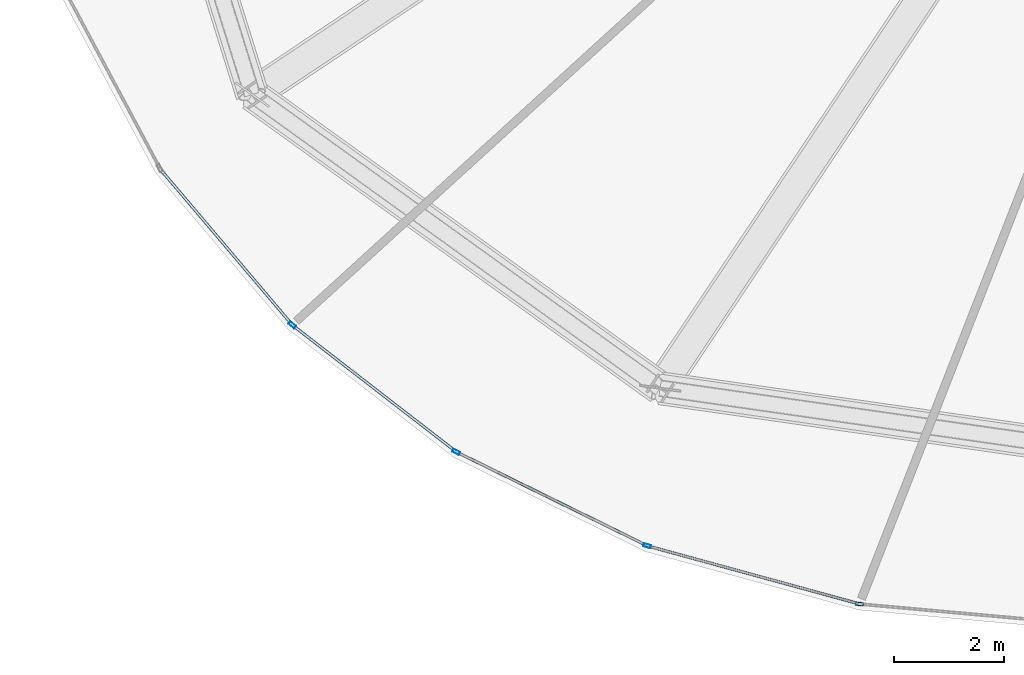
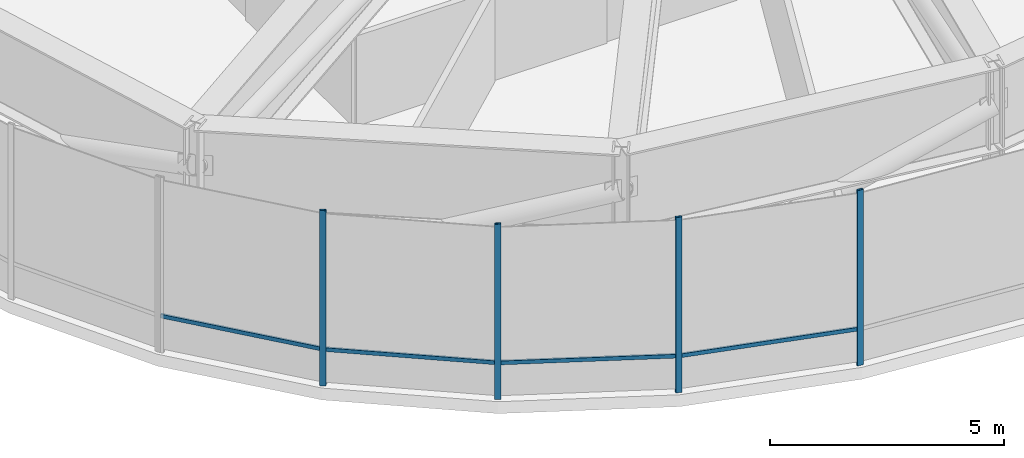
# One storey, part 2 of 30: 8 members, 1 element without a shape of its own.
"""IFC4 building model written with IfcOpenShell, lengths in metres."""

from ifc_helpers import new_model, si_unit, direction, frame, origin, origin_2d, place, context, subcontext, project, spatial, hollow_rectangle, extrude, source, transform, mapped, material, layer, layer_set, material_profile, profile_set, type_object, element, aggregate, save


model = new_model("IFC4")

# Units and contexts
model_context = context("Model", 3, precision=1e-05, world=origin(), true_north=direction((0.0, 1.0)))
body_context = subcontext(model_context, "Body", "Model", "MODEL_VIEW")
ifc_project = project(units=[si_unit("LENGTHUNIT", "METRE"), si_unit("AREAUNIT", "SQUARE_METRE"), si_unit("VOLUMEUNIT", "CUBIC_METRE"), si_unit("PLANEANGLEUNIT", "RADIAN"), si_unit("MASSUNIT", "GRAM", prefix="KILO"), si_unit("THERMODYNAMICTEMPERATUREUNIT", "KELVIN")], contexts=[model_context])

# Site, building, storey
site_placement = place(None, origin())
site = spatial("IfcSite", under=ifc_project, at=site_placement, CompositionType="ELEMENT")
building_placement = place(site_placement, origin())
building = spatial("IfcBuilding", under=site, at=building_placement, Name="Kethvar Cultural Tower", CompositionType="ELEMENT")
storey_placement = place(building_placement, frame((0.0, 0.0, 171.39990234375)))
storey = spatial("IfcBuildingStorey", under=building, at=storey_placement, Name="L44", CompositionType="ELEMENT", Elevation=171.39990234375)

# Curtain wall, members
ifc_material = material(Name="Aluminium 6063-T6", Category="aluminium")
ifc_layer = layer(ifc_material, 0.179931640625, Name="Aluminium 6063-T6", Category="aluminium")
ifc_layer_set = layer_set([ifc_layer], Name="Aluminium 6063-T6 (180 mm)")
curtain_wall_type = type_object("IfcCurtainWallType", Name="CW-SYS-04-Z34", PredefinedType="NOTDEFINED", material=ifc_layer_set)
curtain_wall_placement = place(storey_placement, origin())
curtain_wall = element("IfcCurtainWall", 1, at=curtain_wall_placement, inside=storey, type_object=curtain_wall_type, Name="L44 Curtain Wall Run 04", PredefinedType="NOTDEFINED")
ifc_material_profile_1 = material_profile(ifc_material, hollow_rectangle(XDim=0.06005859375, YDim=0.139892578125, WallThickness=0.0048828125, at=origin_2d()), Name="Aluminium 6063-T6 — RHS140x60x5")
ifc_profile_set_1 = profile_set([ifc_material_profile_1], Name="Aluminium 6063-T6 — RHS140x60x5")
member_type_1 = type_object("IfcMemberType", Name="CW-SYS-04-Z34-MUL", PredefinedType="MULLION", material=ifc_profile_set_1)
shared_shape_1 = source(origin(), body_context, "Body", "SweptSolid", [
    extrude(hollow_rectangle(XDim=0.06005859375, YDim=0.139892578125, WallThickness=0.0048828125, at=origin_2d()), origin(), (0.0, 0.0, 1.0), 4.580078125),
])
member_1_placement = place(storey_placement, frame((27.647216796875, 10.3212890625, 0.0), z_axis=(0.0, 0.0, 1.0), x_axis=(0.611527040186, 0.791223532967, 0.0)))
member_1 = element("IfcMember", 2, at=member_1_placement, type_object=member_type_1, Name="CW-L44-R04 Mullion 2", PredefinedType="MULLION", context=body_context, shape_type="MappedRepresentation", body=[
    mapped(shared_shape_1, transform((0.0, 0.0, 0.0), scale=1.0)),
])
member_2_placement = place(storey_placement, frame((30.635009765625, 8.00927734375, 0.0), z_axis=(0.0, 0.0, 1.0), x_axis=(0.441004660349, 0.897504813107, 0.0)))
member_2 = element("IfcMember", 3, at=member_2_placement, type_object=member_type_1, Name="CW-L44-R04 Mullion 3", PredefinedType="MULLION", context=body_context, shape_type="MappedRepresentation", body=[
    mapped(shared_shape_1, transform((0.0, 0.0, 0.0), scale=1.0)),
])
member_3_placement = place(storey_placement, frame((34.11474609375, 6.29736328125, 0.0), z_axis=(0.0, 0.0, 1.0), x_axis=(0.263839380399, 0.964566628777, 0.0)))
member_3 = element("IfcMember", 4, at=member_3_placement, type_object=member_type_1, Name="CW-L44-R04 Mullion 4", PredefinedType="MULLION", context=body_context, shape_type="MappedRepresentation", body=[
    mapped(shared_shape_1, transform((0.0, 0.0, 0.0), scale=1.0)),
])
member_4_placement = place(storey_placement, frame((37.981201171875, 5.238037109375, 0.0), z_axis=(0.0, 0.0, 1.0), x_axis=(0.089659175206, 0.995972505796, 0.0)))
member_4 = element("IfcMember", 5, at=member_4_placement, type_object=member_type_1, Name="CW-L44-R04 Mullion 5", PredefinedType="MULLION", context=body_context, shape_type="MappedRepresentation", body=[
    mapped(shared_shape_1, transform((0.0, 0.0, 0.0), scale=1.0)),
])
ifc_material_profile_2 = material_profile(ifc_material, hollow_rectangle(XDim=0.050048828125, YDim=0.10009765625, WallThickness=0.00390625, at=origin_2d()), Name="Aluminium 6063-T6 — RHS100x50x4")
ifc_profile_set_2 = profile_set([ifc_material_profile_2], Name="Aluminium 6063-T6 — RHS100x50x4")
member_type_2 = type_object("IfcMemberType", Name="CW-SYS-04-Z34-TRN", PredefinedType="USERDEFINED", material=ifc_profile_set_2)
shared_shape_2 = source(origin(), body_context, "Body", "SweptSolid", [
    extrude(hollow_rectangle(XDim=0.050048828125, YDim=0.10009765625, WallThickness=0.00390625, at=origin_2d()), origin(), (0.0, 0.0, 1.0), 3.65966796875),
])
member_5_placement = place(storey_placement, frame((25.269287109375, 13.1298828125, 0.9501953125), z_axis=(0.646683564174, -0.762758394137, 0.0), x_axis=(0.762758394137, 0.646683564174, 0.0)))
member_5 = element("IfcMember", 6, at=member_5_placement, type_object=member_type_2, Name="CW-L44-R04 Transom 1", ObjectType="TRANSOM", PredefinedType="USERDEFINED", context=body_context, shape_type="MappedRepresentation", body=[
    mapped(shared_shape_2, transform((0.0, 0.0, 0.0), scale=1.0)),
])
shared_shape_3 = source(origin(), body_context, "Body", "SweptSolid", [
    extrude(hollow_rectangle(XDim=0.050048828125, YDim=0.10009765625, WallThickness=0.00390625, at=origin_2d()), origin(), (0.0, 0.0, 1.0), 3.71337890625),
])
member_6_placement = place(storey_placement, frame((27.681396484375, 10.294921875, 0.9501953125), z_axis=(0.791245960787, -0.611498020879, 0.0), x_axis=(0.611498020879, 0.791245960787, 0.0)))
member_6 = element("IfcMember", 7, at=member_6_placement, type_object=member_type_2, Name="CW-L44-R04 Transom 2", ObjectType="TRANSOM", PredefinedType="USERDEFINED", context=body_context, shape_type="MappedRepresentation", body=[
    mapped(shared_shape_3, transform((0.0, 0.0, 0.0), scale=1.0)),
])
shared_shape_4 = source(origin(), body_context, "Body", "SweptSolid", [
    extrude(hollow_rectangle(XDim=0.050048828125, YDim=0.10009765625, WallThickness=0.00390625, at=origin_2d()), origin(), (0.0, 0.0, 1.0), 3.812255859375),
])
member_7_placement = place(storey_placement, frame((30.673828125, 7.990234375, 0.9501953125), z_axis=(0.8975178653, -0.440978096358, 0.0), x_axis=(0.440978096358, 0.8975178653, 0.0)))
member_7 = element("IfcMember", 8, at=member_7_placement, type_object=member_type_2, Name="CW-L44-R04 Transom 3", ObjectType="TRANSOM", PredefinedType="USERDEFINED", context=body_context, shape_type="MappedRepresentation", body=[
    mapped(shared_shape_4, transform((0.0, 0.0, 0.0), scale=1.0)),
])
shared_shape_5 = source(origin(), body_context, "Body", "SweptSolid", [
    extrude(hollow_rectangle(XDim=0.050048828125, YDim=0.10009765625, WallThickness=0.00390625, at=origin_2d()), origin(), (0.0, 0.0, 1.0), 3.941650390625),
])
member_8_placement = place(storey_placement, frame((34.156494140625, 6.285888671875, 0.9501953125), z_axis=(0.964562001186, -0.263856297762, 0.0), x_axis=(0.263856297762, 0.964562001186, 0.0)))
member_8 = element("IfcMember", 9, at=member_8_placement, type_object=member_type_2, Name="CW-L44-R04 Transom 4", ObjectType="TRANSOM", PredefinedType="USERDEFINED", context=body_context, shape_type="MappedRepresentation", body=[
    mapped(shared_shape_5, transform((0.0, 0.0, 0.0), scale=1.0)),
])
aggregate(curtain_wall, [member_1, member_2, member_3, member_4, member_5, member_6, member_7, member_8])

save(model, "model.ifc")
